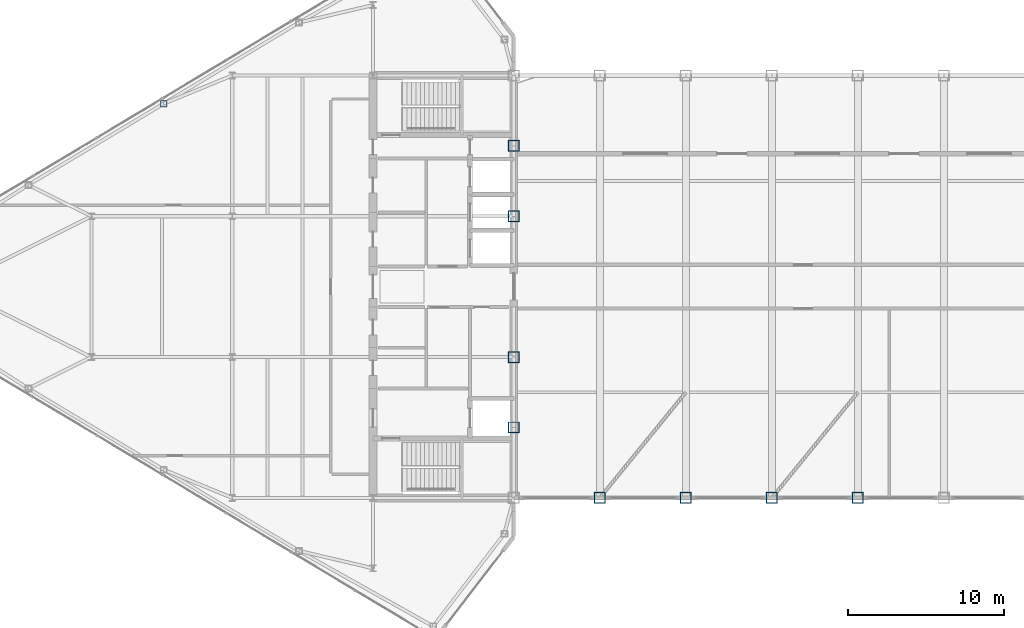
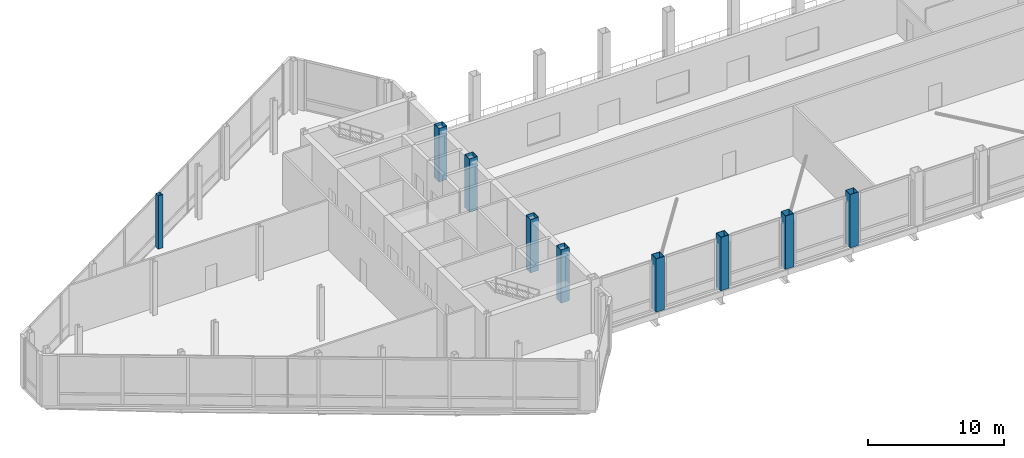
# One storey, part 2 of 28: 9 columns.
"""IFC4 building model written with IfcOpenShell, lengths in metres."""

from ifc_helpers import new_model, si_unit, direction, frame, origin, origin_2d, place, context, subcontext, project, spatial, hollow_rectangle, extrude, source, transform, mapped, material, material_profile, profile_set, type_object, type_shapes, element, save


model = new_model("IFC4")

# Units and contexts
model_context = context("Model", 3, precision=1e-05, world=origin(), true_north=direction((0.0, 1.0)))
body_context = subcontext(model_context, "Body", "Model", "MODEL_VIEW")
ifc_project = project(units=[si_unit("LENGTHUNIT", "METRE"), si_unit("AREAUNIT", "SQUARE_METRE"), si_unit("VOLUMEUNIT", "CUBIC_METRE"), si_unit("PLANEANGLEUNIT", "RADIAN"), si_unit("MASSUNIT", "GRAM", prefix="KILO")], contexts=[model_context])

# Site, building, storey
site_placement = place(None, origin())
site = spatial("IfcSite", under=ifc_project, at=site_placement, CompositionType="ELEMENT")
building_placement = place(site_placement, origin())
building = spatial("IfcBuilding", under=site, at=building_placement, Name="Seokmaru Belvedere", CompositionType="ELEMENT")
storey_placement = place(building_placement, frame((0.0, 0.0, 274.199951171875)))
storey = spatial("IfcBuildingStorey", under=building, at=storey_placement, Name="L72", CompositionType="ELEMENT", Elevation=274.199951171875)

# Columns
ifc_material = material(Name="Steel SM355 (355 MPa)", Category="steel")
ifc_material_profile_1 = material_profile(ifc_material, hollow_rectangle(XDim=0.699951171875, YDim=0.699951171875, WallThickness=0.030029296875, at=origin_2d()), Name="BOX-700x700x30")
ifc_profile_set_1 = profile_set([ifc_material_profile_1], Name="Steel SM355 (355 MPa)")
column_type_1 = type_object("IfcColumnType", Name="Upper Spine Column BOX-700", PredefinedType="COLUMN", material=ifc_profile_set_1)
shared_shape_1 = source(origin(), body_context, "Body", "SweptSolid", [
    extrude(hollow_rectangle(XDim=0.699951171875, YDim=0.699951171875, WallThickness=0.030029296875, at=origin_2d()), origin(), (0.0, 0.0, 1.0), 4.800048828125),
])
type_shapes(column_type_1, [shared_shape_1])
for number, where, z_axis, x_axis, name in (
    (1, (-27.5, -9.0, 0.0), (0.0, 0.0, 1.0), (1.0, 0.0, 0.0), "L72 Column WS2"),
    (2, (-27.5, -4.5, 0.0), (0.0, 0.0, 1.0), (1.0, 0.0, 0.0), "L72 Column WS3"),
    (3, (-27.5, 4.5, 0.0), (0.0, 0.0, 1.0), (1.0, 0.0, 0.0), "L72 Column WS4"),
    (4, (-27.5, 9.0, 0.0), (0.0, 0.0, 1.0), (1.0, 0.0, 0.0), "L72 Column WS5"),
    (5, (-22.0, -13.5, 0.0), (0.0, 0.0, 1.0), (1.0, 0.0, 0.0), "L72 Column BRS_1"),
    (6, (-16.5, -13.5, 0.0), (0.0, 0.0, 1.0), (1.0, 0.0, 0.0), "L72 Column BRS_2"),
    (7, (-11.0, -13.5, 0.0), (0.0, 0.0, 1.0), (1.0, 0.0, 0.0), "L72 Column BRS_3"),
    (8, (-5.5, -13.5, 0.0), (0.0, 0.0, 1.0), (1.0, 0.0, 0.0), "L72 Column BRS_4"),
):
    element("IfcColumn", number, at=place(storey_placement, frame(where, z_axis=z_axis, x_axis=x_axis)), inside=storey, type_object=column_type_1, Name=name, PredefinedType="COLUMN", context=body_context, shape_type="MappedRepresentation", body=[
        mapped(shared_shape_1, transform((0.0, 0.0, 0.0), scale=1.0)),
    ])
ifc_material_profile_2 = material_profile(ifc_material, hollow_rectangle(XDim=0.39990234375, YDim=0.39990234375, WallThickness=0.01611328125, at=origin_2d()), Name="HSS-400x400x16")
ifc_profile_set_2 = profile_set([ifc_material_profile_2], Name="Steel SM355 (355 MPa)")
column_type_2 = type_object("IfcColumnType", Name="Perimeter Facet Column HSS-400", PredefinedType="COLUMN", material=ifc_profile_set_2)
shared_shape_2 = source(origin(), body_context, "Body", "SweptSolid", [
    extrude(hollow_rectangle(XDim=0.39990234375, YDim=0.39990234375, WallThickness=0.01611328125, at=origin_2d()), origin(), (0.0, 0.0, 1.0), 4.800048828125),
])
type_shapes(column_type_2, [shared_shape_2])
column_placement = place(storey_placement, frame((-49.8798828125, 11.698974609375, 0.0), z_axis=(0.0, 0.0, 1.0), x_axis=(1.0, 0.0, 0.0)))
element("IfcColumn", 9, at=column_placement, inside=storey, type_object=column_type_2, Name="L72 Column WFLK_N2", PredefinedType="COLUMN", context=body_context, shape_type="MappedRepresentation", body=[
    mapped(shared_shape_2, transform((0.0, 0.0, 0.0), scale=1.0)),
])

save(model, "model.ifc")
